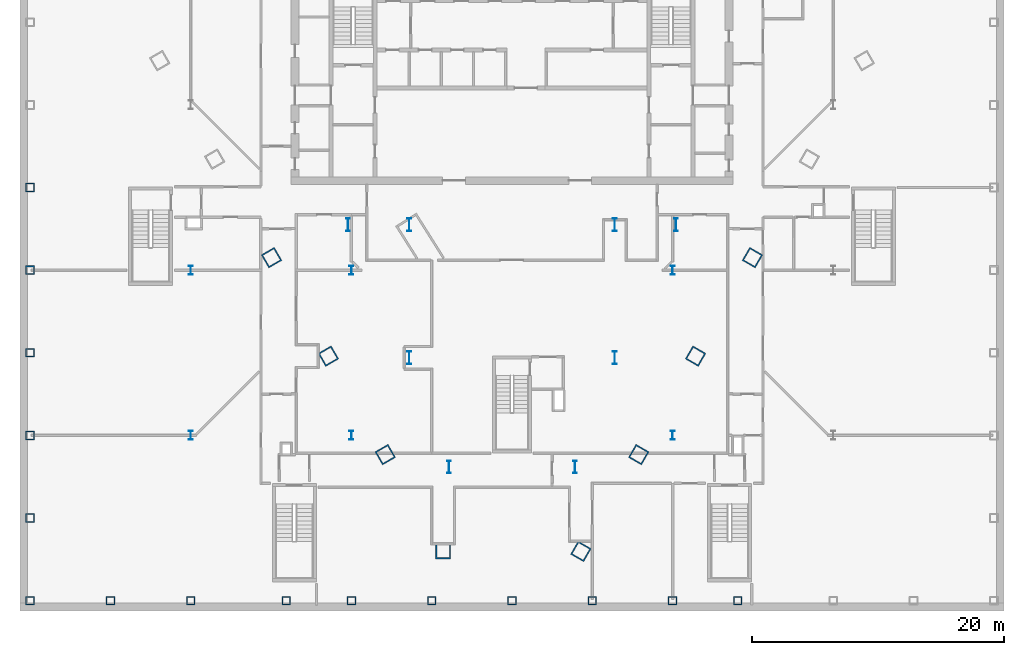
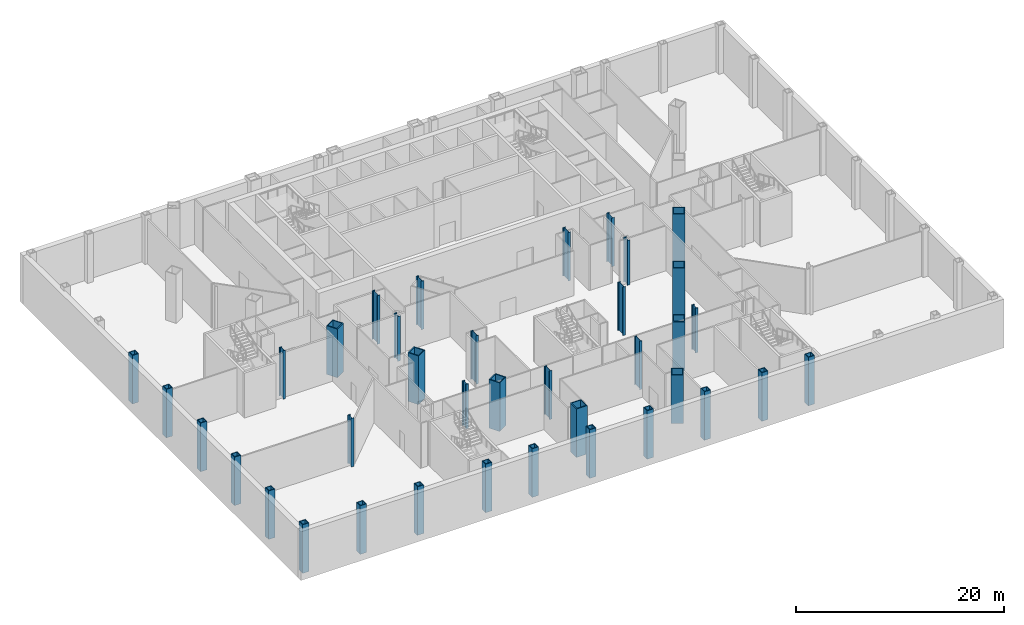
# One storey, part 1 of 18: 37 columns.
"""IFC4 building model written with IfcOpenShell, lengths in metres."""

from ifc_helpers import new_model, si_unit, direction, frame, origin, origin_2d, place, context, subcontext, project, spatial, hollow_rectangle, i_section, extrude, material, material_profile, profile_set, type_object, element, save


model = new_model("IFC4")

# Units and contexts
model_context = context("Model", 3, precision=1e-05, world=origin(), true_north=direction((0.0, 1.0)))
body_context = subcontext(model_context, "Body", "Model", "MODEL_VIEW")
ifc_project = project(units=[si_unit("LENGTHUNIT", "METRE"), si_unit("AREAUNIT", "SQUARE_METRE"), si_unit("VOLUMEUNIT", "CUBIC_METRE"), si_unit("PLANEANGLEUNIT", "RADIAN"), si_unit("MASSUNIT", "GRAM", prefix="KILO")], contexts=[model_context])

# Site, building, storey
site_placement = place(None, origin())
site = spatial("IfcSite", under=ifc_project, at=site_placement, CompositionType="ELEMENT")
building_placement = place(site_placement, origin())
building = spatial("IfcBuilding", under=site, at=building_placement, Name="Njiva Tower", CompositionType="ELEMENT")
storey_placement = place(building_placement, frame((0.0, 0.0, -5.7)))
storey = spatial("IfcBuildingStorey", under=building, at=storey_placement, Name="B1", CompositionType="ELEMENT", Elevation=-5.7)

# Columns
ifc_material = material(Name="Steel S355 J2", Category="steel")
ifc_material_profile_1 = material_profile(ifc_material, hollow_rectangle(XDim=1.2, YDim=1.2, WallThickness=0.1, at=origin_2d()), Name="BOX 1200x1200x100")
ifc_profile_set_1 = profile_set([ifc_material_profile_1], Name="Steel S355 J2")
column_type_1 = type_object("IfcColumnType", Name="C1 Mega-column BOX 1200x1200x100", PredefinedType="COLUMN", material=ifc_profile_set_1)
for number, where, z_axis, x_axis, name in (
    (1, (-19.061, -5.807, 0.0), (0.0, 0.0, 1.0), (0.5, -0.866025403784, 0.0), "Mega-column B1-C09"),
    (2, (-14.553, -13.615, 0.0), (0.0, 0.0, 1.0), (0.5, -0.866025403784, 0.0), "Mega-column B1-C10"),
    (3, (-10.046, -21.422, 0.0), (0.0, 0.0, 1.0), (0.5, -0.866025403784, 0.0), "Mega-column B1-C11"),
    (4, (-5.461, -29.096, 0.0), (0.0, 0.0, 1.0), (1.0, 0.0, 0.0), "Mega-column B1-C12"),
    (5, (5.461, -29.096, 0.0), (0.0, 0.0, 1.0), (0.5, 0.866025403784, 0.0), "Mega-column B1-C13"),
    (6, (10.046, -21.422, 0.0), (0.0, 0.0, 1.0), (0.5, 0.866025403784, 0.0), "Mega-column B1-C14"),
    (7, (14.553, -13.615, 0.0), (0.0, 0.0, 1.0), (0.5, 0.866025403784, 0.0), "Mega-column B1-C15"),
    (8, (19.061, -5.807, 0.0), (0.0, 0.0, 1.0), (0.5, 0.866025403784, 0.0), "Mega-column B1-C16"),
):
    element("IfcColumn", number, at=place(storey_placement, frame(where, z_axis=z_axis, x_axis=x_axis)), inside=storey, type_object=column_type_1, Name=name, PredefinedType="COLUMN", context=body_context, shape_type="SweptSolid", body=[
        extrude(hollow_rectangle(XDim=1.2, YDim=1.2, WallThickness=0.1, at=origin_2d()), origin(), (0.0, 0.0, 1.0), 5.7),
    ])
ifc_material_profile_2 = material_profile(ifc_material, i_section(OverallWidth=0.302, OverallDepth=1.008, WebThickness=0.021, FlangeThickness=0.04, at=origin_2d()), Name="HEM 1000")
ifc_profile_set_2 = profile_set([ifc_material_profile_2], Name="Steel S355 J2")
column_type_2 = type_object("IfcColumnType", Name="C2 Interior column HEM 1000", PredefinedType="COLUMN", material=ifc_profile_set_2)
for number, where, z_axis, x_axis, name in (
    (9, (8.15, -3.2, 0.0), (0.0, 0.0, 1.0), (1.0, 0.0, 0.0), "Interior column B1-C19"),
    (10, (-8.15, -3.2, 0.0), (0.0, 0.0, 1.0), (1.0, 0.0, 0.0), "Interior column B1-C20"),
    (11, (8.15, -13.75, 0.0), (0.0, 0.0, 1.0), (1.0, 0.0, 0.0), "Interior column B1-C21"),
    (12, (-8.15, -13.75, 0.0), (0.0, 0.0, 1.0), (1.0, 0.0, 0.0), "Interior column B1-C22"),
    (13, (5.0, -22.4, 0.0), (0.0, 0.0, 1.0), (1.0, 0.0, 0.0), "Interior column B1-C23"),
    (14, (-5.0, -22.4, 0.0), (0.0, 0.0, 1.0), (1.0, 0.0, 0.0), "Interior column B1-C24"),
    (15, (13.0, -3.2, 0.0), (0.0, 0.0, 1.0), (1.0, 0.0, 0.0), "Interior column B1-C25"),
    (16, (-13.0, -3.2, 0.0), (0.0, 0.0, 1.0), (1.0, 0.0, 0.0), "Interior column B1-C26"),
):
    element("IfcColumn", number, at=place(storey_placement, frame(where, z_axis=z_axis, x_axis=x_axis)), inside=storey, type_object=column_type_2, Name=name, PredefinedType="COLUMN", context=body_context, shape_type="SweptSolid", body=[
        extrude(i_section(OverallWidth=0.302, OverallDepth=1.008, WebThickness=0.021, FlangeThickness=0.04, at=origin_2d()), origin(), (0.0, 0.0, 1.0), 5.7),
    ])
ifc_material_profile_3 = material_profile(ifc_material, hollow_rectangle(XDim=0.7, YDim=0.7, WallThickness=0.08, at=origin_2d()), Name="BOX 700x700x80")
ifc_profile_set_3 = profile_set([ifc_material_profile_3], Name="Steel S355 J2")
column_type_3 = type_object("IfcColumnType", Name="C3 Podium perimeter column BOX 700x700x80", PredefinedType="COLUMN", material=ifc_profile_set_3)
for number, where, z_axis, x_axis, name in (
    (17, (-38.2, -0.25, 0.0), (0.0, 0.0, 1.0), (0.0, -1.0, 0.0), "Podium perimeter column B1-C45"),
    (18, (-38.2, -6.8, 0.0), (0.0, 0.0, 1.0), (0.0, -1.0, 0.0), "Podium perimeter column B1-C46"),
    (19, (-38.2, -13.35, 0.0), (0.0, 0.0, 1.0), (0.0, -1.0, 0.0), "Podium perimeter column B1-C47"),
    (20, (-38.2, -19.9, 0.0), (0.0, 0.0, 1.0), (0.0, -1.0, 0.0), "Podium perimeter column B1-C48"),
    (21, (-38.2, -26.45, 0.0), (0.0, 0.0, 1.0), (0.0, -1.0, 0.0), "Podium perimeter column B1-C49"),
    (22, (-38.2, -33.0, 0.0), (0.0, 0.0, 1.0), (1.0, 0.0, 0.0), "Podium perimeter column B1-C50"),
    (23, (-31.833, -33.0, 0.0), (0.0, 0.0, 1.0), (1.0, 0.0, 0.0), "Podium perimeter column B1-C51"),
    (24, (-25.467, -33.0, 0.0), (0.0, 0.0, 1.0), (1.0, 0.0, 0.0), "Podium perimeter column B1-C52"),
    (25, (-17.9, -33.0, 0.0), (0.0, 0.0, 1.0), (1.0, 0.0, 0.0), "Podium perimeter column B1-C53"),
    (26, (-12.733, -33.0, 0.0), (0.0, 0.0, 1.0), (1.0, 0.0, 0.0), "Podium perimeter column B1-C54"),
    (27, (-6.367, -33.0, 0.0), (0.0, 0.0, 1.0), (1.0, 0.0, 0.0), "Podium perimeter column B1-C55"),
    (28, (0.0, -33.0, 0.0), (0.0, 0.0, 1.0), (1.0, 0.0, 0.0), "Podium perimeter column B1-C56"),
    (29, (6.367, -33.0, 0.0), (0.0, 0.0, 1.0), (1.0, 0.0, 0.0), "Podium perimeter column B1-C57"),
    (30, (12.733, -33.0, 0.0), (0.0, 0.0, 1.0), (1.0, 0.0, 0.0), "Podium perimeter column B1-C58"),
    (31, (17.9, -33.0, 0.0), (0.0, 0.0, 1.0), (1.0, 0.0, 0.0), "Podium perimeter column B1-C59"),
):
    element("IfcColumn", number, at=place(storey_placement, frame(where, z_axis=z_axis, x_axis=x_axis)), inside=storey, type_object=column_type_3, Name=name, PredefinedType="COLUMN", context=body_context, shape_type="SweptSolid", body=[
        extrude(hollow_rectangle(XDim=0.7, YDim=0.7, WallThickness=0.08, at=origin_2d()), origin(), (0.0, 0.0, 1.0), 5.7),
    ])
ifc_material_profile_4 = material_profile(ifc_material, i_section(OverallWidth=0.304, OverallDepth=0.716, WebThickness=0.021, FlangeThickness=0.04, at=origin_2d()), Name="HEM 700")
ifc_profile_set_4 = profile_set([ifc_material_profile_4], Name="Steel S355 J2")
column_type_4 = type_object("IfcColumnType", Name="C4 Station column HEM 700", PredefinedType="COLUMN", material=ifc_profile_set_4)
for number, where, z_axis, x_axis, name in (
    (32, (-25.467, -6.8, 0.0), (0.0, 0.0, 1.0), (1.0, 0.0, 0.0), "Station column B1-C63"),
    (33, (-25.467, -19.9, 0.0), (0.0, 0.0, 1.0), (1.0, 0.0, 0.0), "Station column B1-C64"),
):
    element("IfcColumn", number, at=place(storey_placement, frame(where, z_axis=z_axis, x_axis=x_axis)), inside=storey, type_object=column_type_4, Name=name, PredefinedType="COLUMN", context=body_context, shape_type="SweptSolid", body=[
        extrude(i_section(OverallWidth=0.304, OverallDepth=0.716, WebThickness=0.021, FlangeThickness=0.04, at=origin_2d()), origin(), (0.0, 0.0, 1.0), 5.7),
    ])
for number, where, z_axis, x_axis, name in (
    (34, (-12.733, -6.8, 0.0), (0.0, 0.0, 1.0), (1.0, 0.0, 0.0), "Station column B1-C65"),
    (35, (-12.733, -19.9, 0.0), (0.0, 0.0, 1.0), (1.0, 0.0, 0.0), "Station column B1-C66"),
    (36, (12.733, -6.8, 0.0), (0.0, 0.0, 1.0), (1.0, 0.0, 0.0), "Station column B1-C67"),
    (37, (12.733, -19.9, 0.0), (0.0, 0.0, 1.0), (1.0, 0.0, 0.0), "Station column B1-C68"),
):
    element("IfcColumn", number, at=place(storey_placement, frame(where, z_axis=z_axis, x_axis=x_axis)), inside=storey, type_object=column_type_4, Name=name, PredefinedType="COLUMN", context=body_context, shape_type="SweptSolid", body=[
        extrude(i_section(OverallWidth=0.304, OverallDepth=0.716, WebThickness=0.021, FlangeThickness=0.04, at=origin_2d()), origin(), (0.0, 0.0, 1.0), 5.25),
    ])

save(model, "model.ifc")
